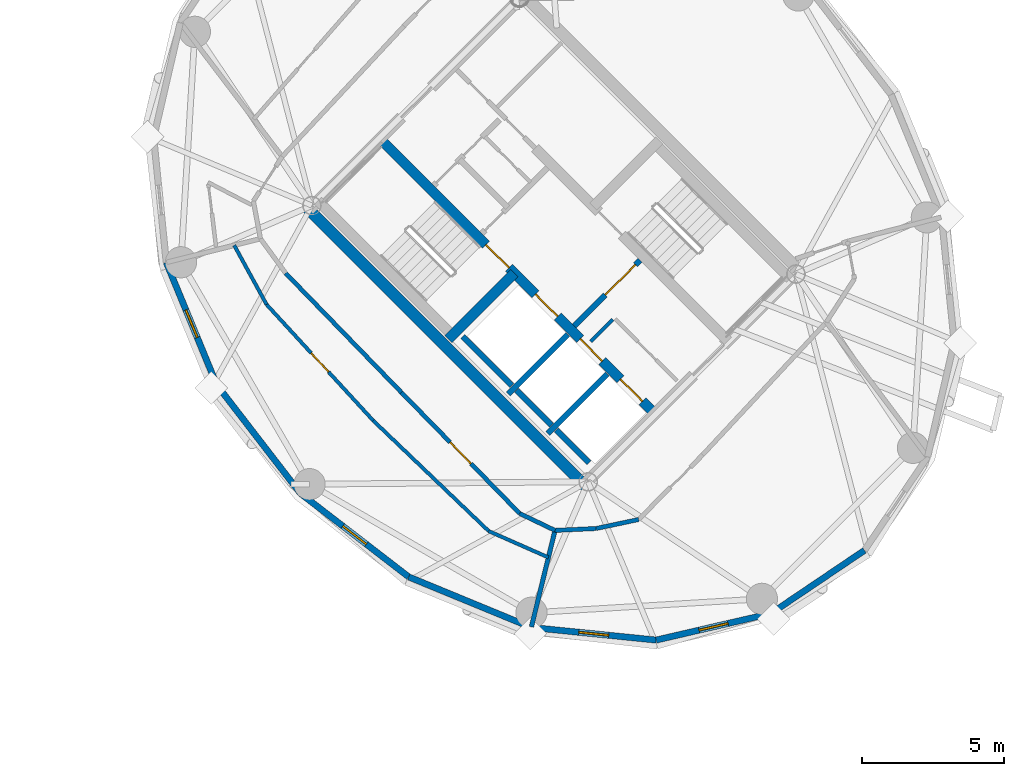
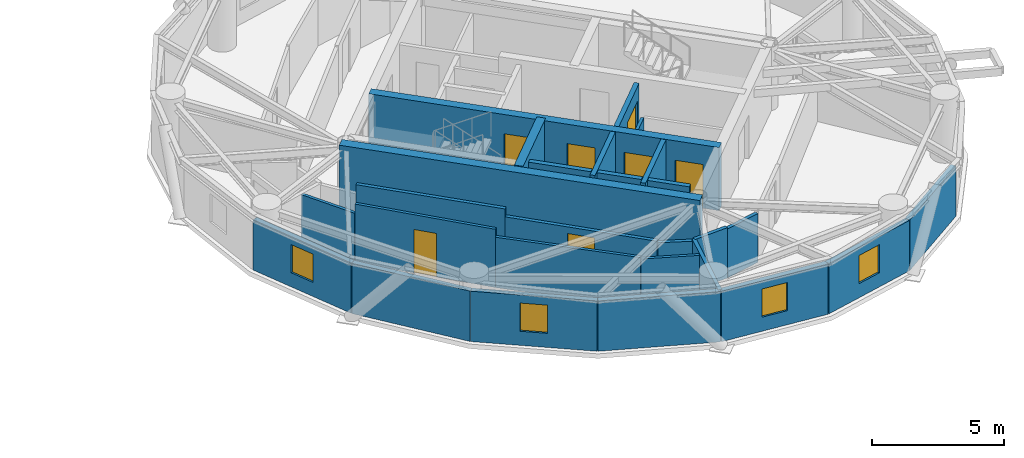
# One storey, part 11 of 16: 27 walls, 7 doors, 4 windows, 11 openings.
"""IFC4 building model written with IfcOpenShell, lengths in metres."""

from ifc_helpers import new_model, si_unit, direction, frame, frame_2d, origin, place, context, subcontext, project, spatial, rectangle, extrude, source, transform, mapped, material, layer, layer_set, type_object, element, fill, save


model = new_model("IFC4")

# Units and contexts
model_context = context("Model", 3, precision=1e-05, world=origin(), true_north=direction((0.0, 1.0)))
body_context = subcontext(model_context, "Body", "Model", "MODEL_VIEW")
ifc_project = project(units=[si_unit("LENGTHUNIT", "METRE"), si_unit("AREAUNIT", "SQUARE_METRE"), si_unit("VOLUMEUNIT", "CUBIC_METRE"), si_unit("PLANEANGLEUNIT", "RADIAN"), si_unit("MASSUNIT", "GRAM", prefix="KILO")], contexts=[model_context])

# Site, building, storey
site_placement = place(None, origin())
site = spatial("IfcSite", under=ifc_project, at=site_placement, CompositionType="ELEMENT")
building_placement = place(site_placement, origin())
building = spatial("IfcBuilding", under=site, at=building_placement, Name="Cununo Teusaquillo Station Towers", CompositionType="ELEMENT")
storey_placement = place(building_placement, frame((0.0, 0.0, 219.93994140625)))
storey = spatial("IfcBuildingStorey", under=building, at=storey_placement, Name="L70", CompositionType="ELEMENT", Elevation=219.93994140625)

# Walls
ifc_material_1 = material(Name="Concrete C50/60", Category="concrete")
ifc_layer_1 = layer(ifc_material_1, 0.199951171875)
ifc_layer_set_1 = layer_set([ifc_layer_1], Name="Concrete C50/60")
wall_type_1 = type_object("IfcWallType", Name="WL-CORE-200", PredefinedType="SHEAR", material=ifc_layer_set_1)
wall_1_placement = place(storey_placement, frame((55.8876953125, 19.0693359375, 0.0), z_axis=(0.0, 0.0, 1.0), x_axis=(0.707106781187, 0.707106781187, 0.0)))
element("IfcWall", 1, at=wall_1_placement, inside=storey, type_object=wall_type_1, Name="L70 Tower B Firefighting Lift Shaft South Shear Wall", PredefinedType="SHEAR", context=body_context, shape_type="SweptSolid", body=[
    extrude(rectangle(XDim=2.969970703125, YDim=0.199951171875, at=frame_2d((1.48486328125, 0.0))), origin(), (0.0, 0.0, 1.0), 2.91015625),
])
wall_2_placement = place(storey_placement, frame((56.01513671875, 19.366455078125, 0.0), z_axis=(0.0, 0.0, 1.0), x_axis=(-0.707106781187, 0.707106781187, 0.0)))
element("IfcWall", 2, at=wall_2_placement, inside=storey, type_object=wall_type_1, Name="L70 Tower B Firefighting Lift Shaft Rear Shear Wall", PredefinedType="SHEAR", context=body_context, shape_type="SweptSolid", body=[
    extrude(rectangle(XDim=2.43994140625, YDim=0.199951171875, at=frame_2d((1.219970703125, 0.0))), origin(), (0.0, 0.0, 1.0), 2.91015625),
])
wall_3_placement = place(storey_placement, frame((57.2841796875, 17.6728515625, 0.0), z_axis=(0.0, 0.0, 1.0), x_axis=(0.707147878904, 0.70706568108, 0.0)))
element("IfcWall", 3, at=wall_3_placement, inside=storey, type_object=wall_type_1, Name="L70 Tower B High-Rise Lift Hoistway Divider Shear Wall", PredefinedType="SHEAR", context=body_context, shape_type="SweptSolid", body=[
    extrude(rectangle(XDim=2.97021484375, YDim=0.199951171875, at=frame_2d((1.485107421875, 0.0))), origin(), (0.0, 0.0, 1.0), 2.91015625),
])
wall_4_placement = place(storey_placement, frame((57.41162109375, 17.969970703125, 0.0), z_axis=(0.0, 0.0, 1.0), x_axis=(-0.707106781187, 0.707106781187, 0.0)))
element("IfcWall", 4, at=wall_4_placement, inside=storey, type_object=wall_type_1, Name="L70 Tower B High-Rise Lift 2 Shaft Rear Shear Wall", PredefinedType="SHEAR", context=body_context, shape_type="SweptSolid", body=[
    extrude(rectangle(XDim=1.73486328125, YDim=0.199951171875, at=frame_2d((0.867431640625, 0.0))), origin(), (0.0, 0.0, 1.0), 2.91015625),
])
wall_5_placement = place(storey_placement, frame((58.7373046875, 16.64404296875, 0.0), z_axis=(0.0, 0.0, 1.0), x_axis=(-0.707032117043, 0.707181437447, 0.0)))
element("IfcWall", 5, at=wall_5_placement, inside=storey, type_object=wall_type_1, Name="L70 Tower B High-Rise Lift 1 Shaft Rear Shear Wall", PredefinedType="SHEAR", context=body_context, shape_type="SweptSolid", body=[
    extrude(rectangle(XDim=1.635009765625, YDim=0.199951171875, at=frame_2d((0.8173828125, 0.0))), origin(), (0.0, 0.0, 1.0), 2.91015625),
])

# Wall, openings, doors
ifc_material_2 = material(Name="Concrete C50/60", Category="concrete")
ifc_layer_2 = layer(ifc_material_2, 0.35009765625)
ifc_layer_set_2 = layer_set([ifc_layer_2], Name="Concrete C50/60")
wall_type_2 = type_object("IfcWallType", Name="WL-CORE-350", PredefinedType="SHEAR", material=ifc_layer_set_2)
wall_6_placement = place(storey_placement, frame((61.060302734375, 18.372802734375, 0.0), z_axis=(0.0, 0.0, 1.0), x_axis=(-0.707106781187, 0.707106781187, 0.0)))
wall_6 = element("IfcWall", 6, at=wall_6_placement, inside=storey, type_object=wall_type_2, Name="L70 Tower B Core Shear Wall IW", PredefinedType="SHEAR", context=body_context, shape_type="SweptSolid", body=[
    extrude(rectangle(XDim=13.7001953125, YDim=0.35009765625, at=frame_2d((6.85009765625, 0.0))), origin(), (0.0, 0.0, 1.0), 2.91015625),
])
shared_shape_1 = source(origin(), body_context, "Body", "SweptSolid", [
    extrude(rectangle(XDim=1.10009765625, YDim=2.014892578125, at=frame_2d((0.550048828125, 1.00732421875))), frame((0.0, 0.18505859375, 0.0), z_axis=(0.0, -1.0, 0.0), x_axis=(1.0, 0.0, 0.0)), (0.0, 0.0, 1.0), 0.3701171875),
])
opening_1_placement = place(wall_6_placement, frame((4.85009765625, 0.0, 0.0)))
opening_1 = element("IfcOpeningElement", 7, at=opening_1_placement, cuts=wall_6, Name="Opening LD-01", PredefinedType="OPENING", context=body_context, shape_type="MappedRepresentation", body=[
    mapped(shared_shape_1, transform((0.0, 0.0, 0.0), x_axis=(1.0, 0.0, 0.0), y_axis=(0.0, 1.0, 0.0), z_axis=(0.0, 0.0, 1.0), scale=1.0)),
])
opening_2_placement = place(wall_6_placement, frame((0.625, 0.0, 0.0)))
opening_2 = element("IfcOpeningElement", 8, at=opening_2_placement, cuts=wall_6, Name="Opening LD-01", PredefinedType="OPENING", context=body_context, shape_type="MappedRepresentation", body=[
    mapped(shared_shape_1, transform((0.0, 0.0, 0.0), x_axis=(1.0, 0.0, 0.0), y_axis=(0.0, 1.0, 0.0), z_axis=(0.0, 0.0, 1.0), scale=1.0)),
])
opening_3_placement = place(wall_6_placement, frame((2.625, 0.0, 0.0)))
opening_3 = element("IfcOpeningElement", 9, at=opening_3_placement, cuts=wall_6, Name="Opening LD-01", PredefinedType="OPENING", context=body_context, shape_type="MappedRepresentation", body=[
    mapped(shared_shape_1, transform((0.0, 0.0, 0.0), x_axis=(1.0, 0.0, 0.0), y_axis=(0.0, 1.0, 0.0), z_axis=(0.0, 0.0, 1.0), scale=1.0)),
])
shared_shape_2 = source(origin(), body_context, "Body", "SweptSolid", [
    extrude(rectangle(XDim=1.14990234375, YDim=2.02001953125, at=frame_2d((0.574951171875, 1.010009765625))), frame((0.0, 0.18505859375, 0.0), z_axis=(0.0, -1.0, 0.0), x_axis=(1.0, 0.0, 0.0)), (0.0, 0.0, 1.0), 0.3701171875),
])
opening_4_placement = place(wall_6_placement, frame((7.27001953125, 0.0, 0.0)))
opening_4 = element("IfcOpeningElement", 10, at=opening_4_placement, cuts=wall_6, Name="Opening D-ST1", PredefinedType="OPENING", context=body_context, shape_type="MappedRepresentation", body=[
    mapped(shared_shape_2, transform((0.0, 0.0, 0.0), x_axis=(1.0, 0.0, 0.0), y_axis=(0.0, 1.0, 0.0), z_axis=(0.0, 0.0, 1.0), scale=1.0)),
])
ifc_material_3 = material(Name="Galvanised fire-rated hollow steel door assembly", Category="steel")
door_type_1 = type_object("IfcDoorType", Name="DR-LIFT-1100", OperationType="SLIDING_TO_LEFT", PredefinedType="DOOR", material=ifc_material_3)
shared_shape_3 = source(origin(), body_context, "Body", "SweptSolid", [
    extrude(rectangle(XDim=1.10009765625, YDim=2.014892578125, at=frame_2d((0.550048828125, 1.00732421875))), frame((0.0, 0.02490234375, 0.0), z_axis=(0.0, -1.0, 0.0), x_axis=(1.0, 0.0, 0.0)), (0.0, 0.0, 1.0), 0.050048828125),
])
door_1_placement = place(opening_1_placement, origin())
door_1 = element("IfcDoor", 11, at=door_1_placement, inside=storey, type_object=door_type_1, Name="L70 Lift FL-T2 Sliding Landing Door", OperationType="SLIDING_TO_RIGHT", OverallHeight=2.014892578125, OverallWidth=1.10009765625, PredefinedType="DOOR", context=body_context, shape_type="MappedRepresentation", body=[
    mapped(shared_shape_3, transform((0.0, 0.0, 0.0), x_axis=(1.0, 0.0, 0.0), y_axis=(0.0, 1.0, 0.0), z_axis=(0.0, 0.0, 1.0), scale=1.0)),
])
fill(opening_1, door_1)
door_2_placement = place(opening_2_placement, origin())
door_2 = element("IfcDoor", 12, at=door_2_placement, inside=storey, type_object=door_type_1, Name="L70 Lift PL-T2-H1 Sliding Landing Door", OperationType="SLIDING_TO_RIGHT", OverallHeight=2.014892578125, OverallWidth=1.10009765625, PredefinedType="DOOR", context=body_context, shape_type="MappedRepresentation", body=[
    mapped(shared_shape_3, transform((0.0, 0.0, 0.0), x_axis=(1.0, 0.0, 0.0), y_axis=(0.0, 1.0, 0.0), z_axis=(0.0, 0.0, 1.0), scale=1.0)),
])
fill(opening_2, door_2)
door_3_placement = place(opening_3_placement, origin())
door_3 = element("IfcDoor", 13, at=door_3_placement, inside=storey, type_object=door_type_1, Name="L70 Lift PL-T2-H2 Sliding Landing Door", OperationType="SLIDING_TO_LEFT", OverallHeight=2.014892578125, OverallWidth=1.10009765625, PredefinedType="DOOR", context=body_context, shape_type="MappedRepresentation", body=[
    mapped(shared_shape_3, transform((0.0, 0.0, 0.0), x_axis=(1.0, 0.0, 0.0), y_axis=(0.0, 1.0, 0.0), z_axis=(0.0, 0.0, 1.0), scale=1.0)),
])
fill(opening_3, door_3)
ifc_material_4 = material(Name="Galvanised fire-rated hollow steel door assembly", Category="steel")
door_type_2 = type_object("IfcDoorType", Name="DR-STAIR-1150", OperationType="NOTDEFINED", PredefinedType="DOOR", material=ifc_material_4)
shared_shape_4 = source(origin(), body_context, "Body", "SweptSolid", [
    extrude(rectangle(XDim=1.14990234375, YDim=2.02001953125, at=frame_2d((0.574951171875, 1.010009765625))), frame((0.0, 0.02490234375, 0.0), z_axis=(0.0, -1.0, 0.0), x_axis=(1.0, 0.0, 0.0)), (0.0, 0.0, 1.0), 0.050048828125),
])
door_4_placement = place(opening_4_placement, origin())
door_4 = element("IfcDoor", 14, at=door_4_placement, inside=storey, type_object=door_type_2, Name="L70 Tower B Exit Stair 1 Fire Door", OperationType="SINGLE_SWING_LEFT", OverallHeight=2.02001953125, OverallWidth=1.14990234375, PredefinedType="DOOR", context=body_context, shape_type="MappedRepresentation", body=[
    mapped(shared_shape_4, transform((0.0, 0.0, 0.0), x_axis=(1.0, 0.0, 0.0), y_axis=(0.0, 1.0, 0.0), z_axis=(0.0, 0.0, 1.0), scale=1.0)),
])
fill(opening_4, door_4)

# Walls
wall_7_placement = place(storey_placement, frame((53.7841796875, 21.00341796875, 0.0), z_axis=(0.0, 0.0, 1.0), x_axis=(0.707106781187, 0.707106781187, 0.0)))
element("IfcWall", 15, at=wall_7_placement, inside=storey, type_object=wall_type_2, Name="L70 Tower B Core Shear Wall ST1S", PredefinedType="SHEAR", context=body_context, shape_type="SweptSolid", body=[
    extrude(rectangle(XDim=3.284912109375, YDim=0.35009765625, at=frame_2d((1.642578125, 0.0))), origin(), (0.0, 0.0, 1.0), 2.91015625),
])
ifc_material_5 = material(Name="Concrete C50/60", Category="concrete")
ifc_layer_3 = layer(ifc_material_5, 0.39990234375)
ifc_layer_set_3 = layer_set([ifc_layer_3], Name="Concrete C50/60")
wall_type_3 = type_object("IfcWallType", Name="WL-CORE-400", PredefinedType="SHEAR", material=ifc_layer_set_3)
wall_8_placement = place(storey_placement, frame((58.7021484375, 15.73193359375, 0.0), z_axis=(0.0, 0.0, 1.0), x_axis=(-0.707106781187, 0.707106781187, 0.0)))
element("IfcWall", 16, at=wall_8_placement, inside=storey, type_object=wall_type_3, Name="L70 Tower B Core Shear Wall W", PredefinedType="SHEAR", context=body_context, shape_type="SweptSolid", body=[
    extrude(rectangle(XDim=14.10009765625, YDim=0.39990234375, at=frame_2d((7.050048828125, 0.0))), origin(), (0.0, 0.0, 1.0), 2.91015625),
])

# Wall, opening, window
ifc_material_6 = material(Name="Precast concrete C40/50", Category="concrete")
ifc_layer_4 = layer(ifc_material_6, 0.219970703125)
ifc_layer_set_4 = layer_set([ifc_layer_4], Name="Precast concrete C40/50")
wall_type_4 = type_object("IfcWallType", Name="WL-EXT-220", PredefinedType="SOLIDWALL", material=ifc_layer_set_4)
wall_9_placement = place(storey_placement, frame((45.626220703125, 19.38671875, 0.0), z_axis=(0.0, 0.0, 1.0), x_axis=(-0.381309704956, 0.924447353237, 0.0)))
wall_9 = element("IfcWall", 17, at=wall_9_placement, inside=storey, type_object=wall_type_4, Name="L70 Tower B Exterior Facade Wall C08", PredefinedType="SOLIDWALL", context=body_context, shape_type="SweptSolid", body=[
    extrude(rectangle(XDim=4.670654296875, YDim=0.219970703125, at=frame_2d((2.33544921875, 0.0))), origin(), (0.0, 0.0, 1.0), 2.322021484375),
])
shared_shape_5 = source(origin(), body_context, "Body", "SweptSolid", [
    extrude(rectangle(XDim=1.050048828125, YDim=1.300048828125, at=frame_2d((0.52490234375, 0.64990234375))), frame((0.0, 0.119873046875, 0.0), z_axis=(0.0, -1.0, 0.0), x_axis=(1.0, 0.0, 0.0)), (0.0, 0.0, 1.0), 0.239990234375),
])
opening_5_placement = place(wall_9_placement, frame((1.81005859375, 0.0, 0.64990234375)))
opening_5 = element("IfcOpeningElement", 18, at=opening_5_placement, cuts=wall_9, Name="Opening WN-04", PredefinedType="OPENING", context=body_context, shape_type="MappedRepresentation", body=[
    mapped(shared_shape_5, transform((0.0, 0.0, 0.0), x_axis=(1.0, 0.0, 0.0), y_axis=(0.0, 1.0, 0.0), z_axis=(0.0, 0.0, 1.0), scale=1.0)),
])
ifc_material_7 = material(Name="Operable acoustic tinted low-E double glazing", Category="glass")
window_type = type_object("IfcWindowType", Name="WIN-BAL-1050", PartitioningType="SINGLE_PANEL", PredefinedType="WINDOW", material=ifc_material_7)
shared_shape_6 = source(origin(), body_context, "Body", "SweptSolid", [
    extrude(rectangle(XDim=1.050048828125, YDim=1.300048828125, at=frame_2d((0.52490234375, 0.64990234375))), frame((0.0, 0.030029296875, 0.0), z_axis=(0.0, -1.0, 0.0), x_axis=(1.0, 0.0, 0.0)), (0.0, 0.0, 1.0), 0.06005859375),
])
window_1_placement = place(opening_5_placement, origin())
window_1 = element("IfcWindow", 19, at=window_1_placement, inside=storey, type_object=window_type, Name="L70 Tower B Facade Window C08", OverallHeight=1.300048828125, OverallWidth=1.050048828125, PartitioningType="SINGLE_PANEL", PredefinedType="WINDOW", context=body_context, shape_type="MappedRepresentation", body=[
    mapped(shared_shape_6, transform((0.0, 0.0, 0.0), x_axis=(1.0, 0.0, 0.0), y_axis=(0.0, 1.0, 0.0), z_axis=(0.0, 0.0, 1.0), scale=1.0)),
])
fill(opening_5, window_1)

# Wall
wall_10_placement = place(storey_placement, frame((48.569091796875, 15.569091796875, 0.0), z_axis=(0.0, 0.0, 1.0), x_axis=(-0.610523083886, 0.791998462147, 0.0)))
element("IfcWall", 20, at=wall_10_placement, inside=storey, type_object=wall_type_4, Name="L70 Tower B Exterior Facade Wall C09", PredefinedType="SOLIDWALL", context=body_context, shape_type="SweptSolid", body=[
    extrude(rectangle(XDim=4.8203125, YDim=0.219970703125, at=frame_2d((2.41015625, 0.0))), origin(), (0.0, 0.0, 1.0), 2.322021484375),
])

# Wall, opening, window
wall_11_placement = place(storey_placement, frame((52.38671875, 12.626220703125, 0.0), z_axis=(0.0, 0.0, 1.0), x_axis=(-0.791998462147, 0.610523083886, 0.0)))
wall_11 = element("IfcWall", 21, at=wall_11_placement, inside=storey, type_object=wall_type_4, Name="L70 Tower B Exterior Facade Wall C10", PredefinedType="SOLIDWALL", context=body_context, shape_type="SweptSolid", body=[
    extrude(rectangle(XDim=4.8203125, YDim=0.219970703125, at=frame_2d((2.41015625, 0.0))), origin(), (0.0, 0.0, 1.0), 2.322021484375),
])
opening_6_placement = place(wall_11_placement, frame((1.885009765625, 0.0, 0.64990234375)))
opening_6 = element("IfcOpeningElement", 22, at=opening_6_placement, cuts=wall_11, Name="Opening WN-04", PredefinedType="OPENING", context=body_context, shape_type="MappedRepresentation", body=[
    mapped(shared_shape_5, transform((0.0, 0.0, 0.0), x_axis=(1.0, 0.0, 0.0), y_axis=(0.0, 1.0, 0.0), z_axis=(0.0, 0.0, 1.0), scale=1.0)),
])
window_2_placement = place(opening_6_placement, origin())
window_2 = element("IfcWindow", 23, at=window_2_placement, inside=storey, type_object=window_type, Name="L70 Tower B Facade Window C10", OverallHeight=1.300048828125, OverallWidth=1.050048828125, PartitioningType="SINGLE_PANEL", PredefinedType="WINDOW", context=body_context, shape_type="MappedRepresentation", body=[
    mapped(shared_shape_6, transform((0.0, 0.0, 0.0), x_axis=(1.0, 0.0, 0.0), y_axis=(0.0, 1.0, 0.0), z_axis=(0.0, 0.0, 1.0), scale=1.0)),
])
fill(opening_6, window_2)

# Wall
wall_12_placement = place(storey_placement, frame((56.70458984375, 10.84521484375, 0.0), z_axis=(0.0, 0.0, 1.0), x_axis=(-0.924447353237, 0.381309704956, 0.0)))
element("IfcWall", 24, at=wall_12_placement, inside=storey, type_object=wall_type_4, Name="L70 Tower B Exterior Facade Wall C11", PredefinedType="SOLIDWALL", context=body_context, shape_type="SweptSolid", body=[
    extrude(rectangle(XDim=4.670654296875, YDim=0.219970703125, at=frame_2d((2.33544921875, 0.0))), origin(), (0.0, 0.0, 1.0), 2.322021484375),
])

# Wall, opening, window
wall_13_placement = place(storey_placement, frame((61.100341796875, 10.40087890625, 0.0), z_axis=(0.0, 0.0, 1.0), x_axis=(-0.994929930991, 0.100570534541, 0.0)))
wall_13 = element("IfcWall", 25, at=wall_13_placement, inside=storey, type_object=wall_type_4, Name="L70 Tower B Exterior Facade Wall C12", PredefinedType="SOLIDWALL", context=body_context, shape_type="SweptSolid", body=[
    extrude(rectangle(XDim=4.418212890625, YDim=0.219970703125, at=frame_2d((2.208984375, 0.0))), origin(), (0.0, 0.0, 1.0), 2.322021484375),
])
opening_7_placement = place(wall_13_placement, frame((1.68408203125, 0.0, 0.64990234375)))
opening_7 = element("IfcOpeningElement", 26, at=opening_7_placement, cuts=wall_13, Name="Opening WN-04", PredefinedType="OPENING", context=body_context, shape_type="MappedRepresentation", body=[
    mapped(shared_shape_5, transform((0.0, 0.0, 0.0), x_axis=(1.0, 0.0, 0.0), y_axis=(0.0, 1.0, 0.0), z_axis=(0.0, 0.0, 1.0), scale=1.0)),
])
window_3_placement = place(opening_7_placement, origin())
window_3 = element("IfcWindow", 27, at=window_3_placement, inside=storey, type_object=window_type, Name="L70 Tower B Facade Window C12", OverallHeight=1.300048828125, OverallWidth=1.050048828125, PartitioningType="SINGLE_PANEL", PredefinedType="WINDOW", context=body_context, shape_type="MappedRepresentation", body=[
    mapped(shared_shape_6, transform((0.0, 0.0, 0.0), x_axis=(1.0, 0.0, 0.0), y_axis=(0.0, 1.0, 0.0), z_axis=(0.0, 0.0, 1.0), scale=1.0)),
])
fill(opening_7, window_3)

wall_14_placement = place(storey_placement, frame((65.143798828125, 11.336669921875, 0.0), z_axis=(0.0, 0.0, 1.0), x_axis=(-0.974249228678, -0.225473813158, 0.0)))
wall_14 = element("IfcWall", 28, at=wall_14_placement, inside=storey, type_object=wall_type_4, Name="L70 Tower B Exterior Facade Wall C13", PredefinedType="SOLIDWALL", context=body_context, shape_type="SweptSolid", body=[
    extrude(rectangle(XDim=4.150390625, YDim=0.219970703125, at=frame_2d((2.0751953125, 0.0))), origin(), (0.0, 0.0, 1.0), 2.322021484375),
])
opening_8_placement = place(wall_14_placement, frame((1.550048828125, 0.0, 0.64990234375)))
opening_8 = element("IfcOpeningElement", 29, at=opening_8_placement, cuts=wall_14, Name="Opening WN-04", PredefinedType="OPENING", context=body_context, shape_type="MappedRepresentation", body=[
    mapped(shared_shape_5, transform((0.0, 0.0, 0.0), x_axis=(1.0, 0.0, 0.0), y_axis=(0.0, 1.0, 0.0), z_axis=(0.0, 0.0, 1.0), scale=1.0)),
])
window_4_placement = place(opening_8_placement, origin())
window_4 = element("IfcWindow", 30, at=window_4_placement, inside=storey, type_object=window_type, Name="L70 Tower B Facade Window C13", OverallHeight=1.300048828125, OverallWidth=1.050048828125, PartitioningType="SINGLE_PANEL", PredefinedType="WINDOW", context=body_context, shape_type="MappedRepresentation", body=[
    mapped(shared_shape_6, transform((0.0, 0.0, 0.0), x_axis=(1.0, 0.0, 0.0), y_axis=(0.0, 1.0, 0.0), z_axis=(0.0, 0.0, 1.0), scale=1.0)),
])
fill(opening_8, window_4)

# Walls
wall_15_placement = place(storey_placement, frame((68.43896484375, 13.56103515625, 0.0), z_axis=(0.0, 0.0, 1.0), x_axis=(-0.828833723692, -0.559495003079, 0.0)))
element("IfcWall", 31, at=wall_15_placement, inside=storey, type_object=wall_type_4, Name="L70 Tower B Exterior Facade Wall C14", PredefinedType="SOLIDWALL", context=body_context, shape_type="SweptSolid", body=[
    extrude(rectangle(XDim=3.9755859375, YDim=0.219970703125, at=frame_2d((1.98779296875, 0.0))), origin(), (0.0, 0.0, 1.0), 2.322021484375),
])
ifc_material_8 = material(Name="Fire-rated gypsum plasterboard partition assembly", Category="gypsum")
ifc_layer_5 = layer(ifc_material_8, 0.125)
ifc_layer_set_5 = layer_set([ifc_layer_5], Name="Fire-rated gypsum plasterboard partition assembly")
wall_type_5 = type_object("IfcWallType", Name="WL-PART-125", PredefinedType="PARTITIONING", material=ifc_layer_set_5)
wall_16_placement = place(storey_placement, frame((58.7939453125, 20.9150390625, 0.0), z_axis=(0.0, 0.0, 1.0), x_axis=(0.707106781187, 0.707106781187, 0.0)))
element("IfcWall", 32, at=wall_16_placement, inside=storey, type_object=wall_type_5, Name="L70 Tower B South-West Tall Store North Wall", PredefinedType="PARTITIONING", context=body_context, shape_type="SweptSolid", body=[
    extrude(rectangle(XDim=1.10009765625, YDim=0.125, at=frame_2d((0.550048828125, 0.0))), origin(), (0.0, 0.0, 1.0), 2.68505859375),
])
wall_17_placement = place(storey_placement, frame((46.239501953125, 24.306884765625, 0.0), z_axis=(0.0, 0.0, 1.0), x_axis=(0.479212341296, -0.87769899849, 0.0)))
element("IfcWall", 33, at=wall_17_placement, inside=storey, type_object=wall_type_5, Name="L70 Tower B Cordillera Pinnacle Club Concentric Partition Wall C08", PredefinedType="PARTITIONING", context=body_context, shape_type="SweptSolid", body=[
    extrude(rectangle(XDim=2.3740234375, YDim=0.125, at=frame_2d((1.18701171875, 0.0))), origin(), (0.0, 0.0, 1.0), 2.255126953125),
])

# Wall, opening, door
wall_18_placement = place(storey_placement, frame((47.377197265625, 22.22314453125, 0.0), z_axis=(0.0, 0.0, 1.0), x_axis=(0.676554417653, -0.736392639802, 0.0)))
wall_18 = element("IfcWall", 34, at=wall_18_placement, inside=storey, type_object=wall_type_5, Name="L70 Tower B Cordillera Pinnacle Club Concentric Partition Wall C09", PredefinedType="PARTITIONING", context=body_context, shape_type="SweptSolid", body=[
    extrude(rectangle(XDim=5.552978515625, YDim=0.125, at=frame_2d((2.7763671875, 0.0))), origin(), (0.0, 0.0, 1.0), 2.68505859375),
])
shared_shape_7 = source(origin(), body_context, "Body", "SweptSolid", [
    extrude(rectangle(XDim=0.89990234375, YDim=2.0048828125, at=frame_2d((0.449951171875, 1.00244140625))), frame((0.0, 0.072509765625, 0.0), z_axis=(0.0, -1.0, 0.0), x_axis=(1.0, 0.0, 0.0)), (0.0, 0.0, 1.0), 0.14501953125),
])
opening_9_placement = place(wall_18_placement, frame((2.326416015625, 0.0, 0.0)))
opening_9 = element("IfcOpeningElement", 35, at=opening_9_placement, cuts=wall_18, Name="Opening D-IN1", PredefinedType="OPENING", context=body_context, shape_type="MappedRepresentation", body=[
    mapped(shared_shape_7, transform((0.0, 0.0, 0.0), x_axis=(1.0, 0.0, 0.0), y_axis=(0.0, 1.0, 0.0), z_axis=(0.0, 0.0, 1.0), scale=1.0)),
])
ifc_material_9 = material(Name="Acoustic solid-core hardwood leaf assembly", Category="wood")
door_type_3 = type_object("IfcDoorType", Name="DR-INT-900", OperationType="NOTDEFINED", PredefinedType="DOOR", material=ifc_material_9)
shared_shape_8 = source(origin(), body_context, "Body", "SweptSolid", [
    extrude(rectangle(XDim=0.89990234375, YDim=2.0048828125, at=frame_2d((0.449951171875, 1.00244140625))), frame((0.0, 0.02490234375, 0.0), z_axis=(0.0, -1.0, 0.0), x_axis=(1.0, 0.0, 0.0)), (0.0, 0.0, 1.0), 0.050048828125),
])
door_5_placement = place(opening_9_placement, origin())
door_5 = element("IfcDoor", 36, at=door_5_placement, inside=storey, type_object=door_type_3, Name="L70 Tower B Cordillera Pinnacle Club Connecting Door", OperationType="SINGLE_SWING_LEFT", OverallHeight=2.0048828125, OverallWidth=0.89990234375, PredefinedType="DOOR", context=body_context, shape_type="MappedRepresentation", body=[
    mapped(shared_shape_8, transform((0.0, 0.0, 0.0), x_axis=(1.0, 0.0, 0.0), y_axis=(0.0, 1.0, 0.0), z_axis=(0.0, 0.0, 1.0), scale=1.0)),
])
fill(opening_9, door_5)

# Walls
wall_19_placement = place(storey_placement, frame((51.134033203125, 18.134033203125, 0.0), z_axis=(0.0, 0.0, 1.0), x_axis=(0.722450775654, -0.691422357721, 0.0)))
element("IfcWall", 37, at=wall_19_placement, inside=storey, type_object=wall_type_5, Name="L70 Tower B Cordillera Pinnacle Club Concentric Partition Wall C10", PredefinedType="PARTITIONING", context=body_context, shape_type="SweptSolid", body=[
    extrude(rectangle(XDim=5.6337890625, YDim=0.125, at=frame_2d((2.81689453125, 0.0))), origin(), (0.0, 0.0, 1.0), 2.322021484375),
])
wall_20_placement = place(storey_placement, frame((55.2041015625, 14.23876953125, 0.0), z_axis=(0.0, 0.0, 1.0), x_axis=(0.914999746908, -0.403454412738, 0.0)))
element("IfcWall", 38, at=wall_20_placement, inside=storey, type_object=wall_type_5, Name="L70 Tower B Cordillera Pinnacle Club Concentric Partition Wall C11", PredefinedType="PARTITIONING", context=body_context, shape_type="SweptSolid", body=[
    extrude(rectangle(XDim=2.297119140625, YDim=0.125, at=frame_2d((1.1484375, 0.0))), origin(), (0.0, 0.0, 1.0), 2.255126953125),
])
ifc_material_10 = material(Name="Fire-rated gypsum plasterboard partition assembly", Category="gypsum")
ifc_layer_6 = layer(ifc_material_10, 0.14990234375)
ifc_layer_set_6 = layer_set([ifc_layer_6], Name="Fire-rated gypsum plasterboard partition assembly")
wall_type_6 = type_object("IfcWallType", Name="WL-PART-150", PredefinedType="PARTITIONING", material=ifc_layer_set_6)
wall_21_placement = place(storey_placement, frame((48.051513671875, 23.32275390625, 0.0), z_axis=(0.0, 0.0, 1.0), x_axis=(0.696573981306, -0.717484974454, 0.0)))
element("IfcWall", 39, at=wall_21_placement, inside=storey, type_object=wall_type_6, Name="L70 Tower B Corridor Ring Wall C09", PredefinedType="PARTITIONING", context=body_context, shape_type="SweptSolid", body=[
    extrude(rectangle(XDim=5.849365234375, YDim=0.14990234375, at=frame_2d((2.9248046875, 0.0))), origin(), (0.0, 0.0, 1.0), 2.68505859375),
])

# Wall, opening, door
wall_22_placement = place(storey_placement, frame((52.1259765625, 19.1259765625, 0.0), z_axis=(0.0, 0.0, 1.0), x_axis=(0.698979087027, -0.715142108884, 0.0)))
wall_22 = element("IfcWall", 40, at=wall_22_placement, inside=storey, type_object=wall_type_6, Name="L70 Tower B Corridor Ring Wall C10", PredefinedType="PARTITIONING", context=body_context, shape_type="SweptSolid", body=[
    extrude(rectangle(XDim=5.96630859375, YDim=0.14990234375, at=frame_2d((2.983154296875, 0.0))), origin(), (0.0, 0.0, 1.0), 2.322021484375),
])
shared_shape_9 = source(origin(), body_context, "Body", "SweptSolid", [
    extrude(rectangle(XDim=1.050048828125, YDim=2.014892578125, at=frame_2d((0.52490234375, 1.00732421875))), frame((0.0, 0.0849609375, 0.0), z_axis=(0.0, -1.0, 0.0), x_axis=(1.0, 0.0, 0.0)), (0.0, 0.0, 1.0), 0.169921875),
])
opening_10_placement = place(wall_22_placement, frame((2.458251953125, 0.0, 0.0)))
opening_10 = element("IfcOpeningElement", 41, at=opening_10_placement, cuts=wall_22, Name="Opening D-SU1", PredefinedType="OPENING", context=body_context, shape_type="MappedRepresentation", body=[
    mapped(shared_shape_9, transform((0.0, 0.0, 0.0), x_axis=(1.0, 0.0, 0.0), y_axis=(0.0, 1.0, 0.0), z_axis=(0.0, 0.0, 1.0), scale=1.0)),
])
ifc_material_11 = material(Name="Acoustic solid-core hardwood leaf assembly", Category="wood")
door_type_4 = type_object("IfcDoorType", Name="DR-SUITE-1050", OperationType="NOTDEFINED", PredefinedType="DOOR", material=ifc_material_11)
shared_shape_10 = source(origin(), body_context, "Body", "SweptSolid", [
    extrude(rectangle(XDim=1.050048828125, YDim=2.014892578125, at=frame_2d((0.52490234375, 1.00732421875))), frame((0.0, 0.02490234375, 0.0), z_axis=(0.0, -1.0, 0.0), x_axis=(1.0, 0.0, 0.0)), (0.0, 0.0, 1.0), 0.050048828125),
])
door_6_placement = place(opening_10_placement, origin())
door_6 = element("IfcDoor", 42, at=door_6_placement, inside=storey, type_object=door_type_4, Name="L70 Tower B Cordillera Pinnacle Club Entrance Door", OperationType="SINGLE_SWING_RIGHT", OverallHeight=2.014892578125, OverallWidth=1.050048828125, PredefinedType="DOOR", context=body_context, shape_type="MappedRepresentation", body=[
    mapped(shared_shape_10, transform((0.0, 0.0, 0.0), x_axis=(1.0, 0.0, 0.0), y_axis=(0.0, 1.0, 0.0), z_axis=(0.0, 0.0, 1.0), scale=1.0)),
])
fill(opening_10, door_6)

# Walls
wall_23_placement = place(storey_placement, frame((56.29638671875, 14.859130859375, 0.0), z_axis=(0.0, 0.0, 1.0), x_axis=(0.90178292445, -0.432189260823, 0.0)))
element("IfcWall", 43, at=wall_23_placement, inside=storey, type_object=wall_type_6, Name="L70 Tower B Corridor Ring Wall C11", PredefinedType="PARTITIONING", context=body_context, shape_type="SweptSolid", body=[
    extrude(rectangle(XDim=1.377197265625, YDim=0.14990234375, at=frame_2d((0.6884765625, 0.0))), origin(), (0.0, 0.0, 1.0), 2.255126953125),
])
wall_24_placement = place(storey_placement, frame((57.538330078125, 14.263916015625, 0.0), z_axis=(0.0, 0.0, 1.0), x_axis=(0.99892990172, 0.046249880546, 0.0)))
element("IfcWall", 44, at=wall_24_placement, inside=storey, type_object=wall_type_6, Name="L70 Tower B Corridor Ring Wall C12", PredefinedType="PARTITIONING", context=body_context, shape_type="SweptSolid", body=[
    extrude(rectangle(XDim=1.4462890625, YDim=0.14990234375, at=frame_2d((0.72314453125, 0.0))), origin(), (0.0, 0.0, 1.0), 2.322021484375),
])
wall_25_placement = place(storey_placement, frame((58.983154296875, 14.330810546875, 0.0), z_axis=(0.0, 0.0, 1.0), x_axis=(0.978328007546, 0.207061125397, 0.0)))
element("IfcWall", 45, at=wall_25_placement, inside=storey, type_object=wall_type_6, Name="L70 Tower B Corridor Ring Wall C13", PredefinedType="PARTITIONING", context=body_context, shape_type="SweptSolid", body=[
    extrude(rectangle(XDim=1.533935546875, YDim=0.14990234375, at=frame_2d((0.76708984375, 0.0))), origin(), (0.0, 0.0, 1.0), 2.255126953125),
])
ifc_material_12 = material(Name="Fire-rated gypsum plasterboard partition assembly", Category="gypsum")
ifc_layer_7 = layer(ifc_material_12, 0.159912109375)
ifc_layer_set_7 = layer_set([ifc_layer_7], Name="Fire-rated gypsum plasterboard partition assembly")
wall_type_7 = type_object("IfcWallType", Name="WL-PART-160", PredefinedType="PARTITIONING", material=ifc_layer_set_7)
wall_26_placement = place(storey_placement, frame((57.538330078125, 14.263916015625, 0.0), z_axis=(0.0, 0.0, 1.0), x_axis=(-0.237377006249, -0.971417601706, 0.0)))
element("IfcWall", 46, at=wall_26_placement, inside=storey, type_object=wall_type_7, Name="L70 Tower B Radial Suite Partition R04", PredefinedType="PARTITIONING", context=body_context, shape_type="SweptSolid", body=[
    extrude(rectangle(XDim=3.4990234375, YDim=0.159912109375, at=frame_2d((1.74951171875, 0.0))), origin(), (0.0, 0.0, 1.0), 2.322021484375),
])

# Wall, opening, door
ifc_material_13 = material(Name="Fire-rated gypsum plasterboard partition assembly", Category="gypsum")
ifc_layer_8 = layer(ifc_material_13, 0.199951171875)
ifc_layer_set_8 = layer_set([ifc_layer_8], Name="Fire-rated gypsum plasterboard partition assembly")
wall_type_8 = type_object("IfcWallType", Name="WL-PART-200", PredefinedType="PARTITIONING", material=ifc_layer_set_8)
wall_27_placement = place(storey_placement, frame((58.214111328125, 21.466552734375, 0.0), z_axis=(0.0, 0.0, 1.0), x_axis=(0.707106781187, 0.707106781187, 0.0)))
wall_27 = element("IfcWall", 47, at=wall_27_placement, inside=storey, type_object=wall_type_8, Name="L70 Tower B Firefighting Lift Lobby South Fire Wall", PredefinedType="PARTITIONING", context=body_context, shape_type="SweptSolid", body=[
    extrude(rectangle(XDim=3.280029296875, YDim=0.199951171875, at=frame_2d((1.64013671875, 0.0))), origin(), (0.0, 0.0, 1.0), 2.68505859375),
])
shared_shape_11 = source(origin(), body_context, "Body", "SweptSolid", [
    extrude(rectangle(XDim=1.5, YDim=2.02001953125, at=frame_2d((0.75, 1.010009765625))), frame((0.0, 0.10986328125, 0.0), z_axis=(0.0, -1.0, 0.0), x_axis=(1.0, 0.0, 0.0)), (0.0, 0.0, 1.0), 0.219970703125),
])
opening_11_placement = place(wall_27_placement, frame((1.550048828125, 0.0, 0.0)))
opening_11 = element("IfcOpeningElement", 48, at=opening_11_placement, cuts=wall_27, Name="Opening D-LB1", PredefinedType="OPENING", context=body_context, shape_type="MappedRepresentation", body=[
    mapped(shared_shape_11, transform((0.0, 0.0, 0.0), x_axis=(1.0, 0.0, 0.0), y_axis=(0.0, 1.0, 0.0), z_axis=(0.0, 0.0, 1.0), scale=1.0)),
])
ifc_material_14 = material(Name="Galvanised fire-rated hollow steel door assembly", Category="steel")
door_type_5 = type_object("IfcDoorType", Name="DR-LOBBY-1500", OperationType="DOUBLE_DOOR_SINGLE_SWING", PredefinedType="DOOR", material=ifc_material_14)
shared_shape_12 = source(origin(), body_context, "Body", "SweptSolid", [
    extrude(rectangle(XDim=1.5, YDim=2.02001953125, at=frame_2d((0.75, 1.010009765625))), frame((0.0, 0.02490234375, 0.0), z_axis=(0.0, -1.0, 0.0), x_axis=(1.0, 0.0, 0.0)), (0.0, 0.0, 1.0), 0.050048828125),
])
door_7_placement = place(opening_11_placement, origin())
door_7 = element("IfcDoor", 49, at=door_7_placement, inside=storey, type_object=door_type_5, Name="L70 Tower B Firefighting Lift Lobby South Fire Door", OperationType="DOUBLE_DOOR_SINGLE_SWING", OverallHeight=2.02001953125, OverallWidth=1.5, PredefinedType="DOOR", context=body_context, shape_type="MappedRepresentation", body=[
    mapped(shared_shape_12, transform((0.0, 0.0, 0.0), x_axis=(1.0, 0.0, 0.0), y_axis=(0.0, 1.0, 0.0), z_axis=(0.0, 0.0, 1.0), scale=1.0)),
])
fill(opening_11, door_7)

save(model, "model.ifc")
